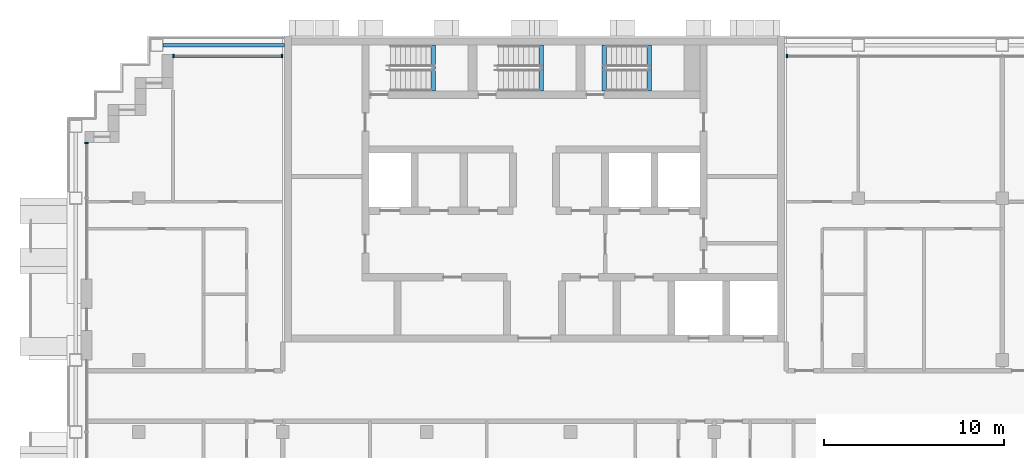
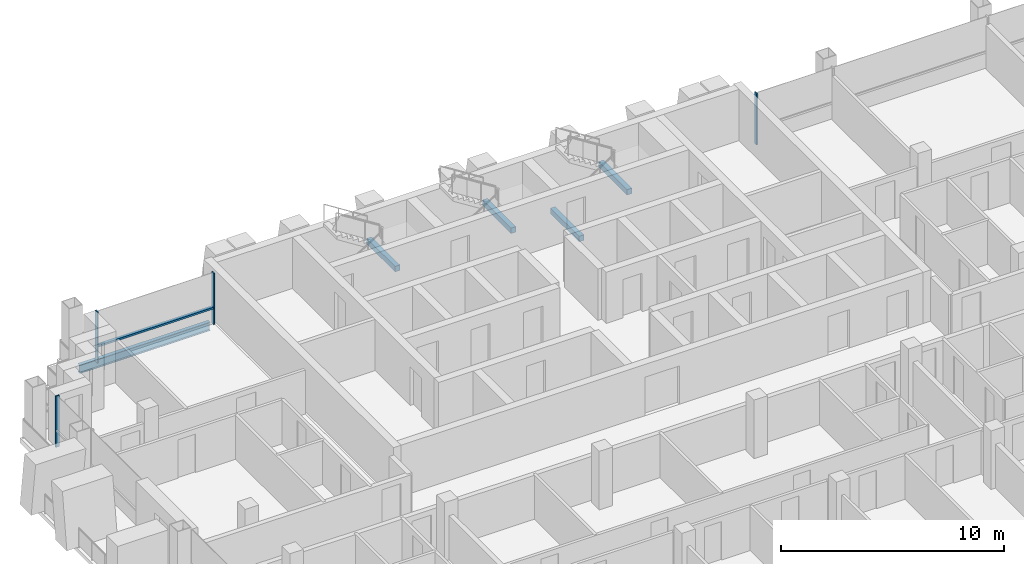
# One storey, part 4 of 16: 5 beams, 5 members, 3 elements without a shape of their own.
"""IFC4 building model written with IfcOpenShell, lengths in metres."""

from ifc_helpers import new_model, si_unit, direction, frame, origin, origin_2d, place, context, subcontext, project, spatial, rectangle, i_section, extrude, material, material_profile, profile_set, type_object, element, aggregate, save


model = new_model("IFC4")

# Units and contexts
model_context = context("Model", 3, precision=1e-05, world=origin(), true_north=direction((0.0, 1.0)))
body_context = subcontext(model_context, "Body", "Model", "MODEL_VIEW")
ifc_project = project(units=[si_unit("LENGTHUNIT", "METRE"), si_unit("AREAUNIT", "SQUARE_METRE"), si_unit("VOLUMEUNIT", "CUBIC_METRE"), si_unit("PLANEANGLEUNIT", "RADIAN"), si_unit("MASSUNIT", "GRAM", prefix="KILO")], contexts=[model_context])

# Site, building, storey
site_placement = place(None, origin())
site = spatial("IfcSite", under=ifc_project, at=site_placement, CompositionType="ELEMENT")
building_placement = place(site_placement, origin())
building = spatial("IfcBuilding", under=site, at=building_placement, Name="Vidyagriha Tower", CompositionType="ELEMENT")
storey_placement = place(building_placement, frame((0.0, 0.0, 190.89990234375)))
storey = spatial("IfcBuildingStorey", under=building, at=storey_placement, Name="L50", CompositionType="ELEMENT", Elevation=190.89990234375)

# Beam
ifc_material_1 = material(Name="Steel ASTM A992 Grade 50", Category="steel")
ifc_material_profile_1 = material_profile(ifc_material_1, i_section(OverallWidth=0.19189453125, OverallDepth=0.46240234375, WebThickness=0.010498046875, FlangeThickness=0.017578125, at=origin_2d()), Name="W18X60")
ifc_profile_set_1 = profile_set([ifc_material_profile_1], Name="Steel ASTM A992 Grade 50")
beam_type_1 = type_object("IfcBeamType", Name="Edge beam W18X60", PredefinedType="SPANDREL", material=ifc_profile_set_1)
beam_placement = place(storey_placement, frame((-20.64990234375, 19.5, -0.510986328125), z_axis=(1.0, 0.0, 0.0), x_axis=(0.0, 1.0, 0.0)))
element("IfcBeam", 1, at=beam_placement, inside=storey, type_object=beam_type_1, Name="st-beam-L50-NC20", PredefinedType="SPANDREL", context=body_context, shape_type="SweptSolid", body=[
    extrude(i_section(OverallWidth=0.19189453125, OverallDepth=0.46240234375, WebThickness=0.010498046875, FlangeThickness=0.017578125, at=origin_2d()), origin(), (0.0, 0.0, 1.0), 6.75),
])

# Curtain wall, member
ifc_material_2 = material(Name="Aluminium and glass curtain wall", Category="aluminium")
curtain_wall_type = type_object("IfcCurtainWallType", Name="Dwelling skin unitised curtain wall", PredefinedType="USERDEFINED", material=ifc_material_2)
curtain_wall_1_placement = place(storey_placement, origin())
curtain_wall_1 = element("IfcCurtainWall", 2, at=curtain_wall_1_placement, inside=storey, type_object=curtain_wall_type, Name="CW1 dwelling skin", ObjectType="UNITISED", PredefinedType="USERDEFINED")
ifc_material_3 = material(Name="Aluminium black anodised", Category="aluminium")
ifc_material_profile_2 = material_profile(ifc_material_3, rectangle(XDim=0.199951171875, YDim=0.070068359375, at=origin_2d()), Name="Mullion 70x200 black aluminium")
ifc_profile_set_2 = profile_set([ifc_material_profile_2], Name="Aluminium black anodised")
member_type_1 = type_object("IfcMemberType", Name="Mullion 70x200 black aluminium", PredefinedType="MULLION", material=ifc_profile_set_2)
member_1_placement = place(storey_placement, frame((14.034912109375, 18.89990234375, 0.0), z_axis=(0.0, 0.0, 1.0), x_axis=(0.0, -1.0, 0.0)))
member_1 = element("IfcMember", 3, at=member_1_placement, type_object=member_type_1, Name="CW1 mullion 4", PredefinedType="MULLION", context=body_context, shape_type="SweptSolid", body=[
    extrude(rectangle(XDim=0.199951171875, YDim=0.070068359375, at=origin_2d()), origin(), (0.0, 0.0, 1.0), 2.800048828125),
])
aggregate(curtain_wall_1, [member_1])

# Curtain wall, members
curtain_wall_2_placement = place(storey_placement, origin())
curtain_wall_2 = element("IfcCurtainWall", 4, at=curtain_wall_2_placement, inside=storey, type_object=curtain_wall_type, Name="CW1 dwelling skin", ObjectType="UNITISED", PredefinedType="USERDEFINED")
member_2_placement = place(storey_placement, frame((-14.034912109375, 18.89990234375, 0.0), z_axis=(0.0, 0.0, 1.0), x_axis=(0.0, -1.0, 0.0)))
member_2 = element("IfcMember", 5, at=member_2_placement, type_object=member_type_1, Name="CW1 mullion 1", PredefinedType="MULLION", context=body_context, shape_type="SweptSolid", body=[
    extrude(rectangle(XDim=0.199951171875, YDim=0.070068359375, at=origin_2d()), origin(), (0.0, 0.0, 1.0), 2.800048828125),
])
member_3_placement = place(storey_placement, frame((-20.06494140625, 18.89990234375, 0.0), z_axis=(0.0, 0.0, 1.0), x_axis=(0.0, -1.0, 0.0)))
member_3 = element("IfcMember", 6, at=member_3_placement, type_object=member_type_1, Name="CW1 mullion 2", PredefinedType="MULLION", context=body_context, shape_type="SweptSolid", body=[
    extrude(rectangle(XDim=0.199951171875, YDim=0.070068359375, at=origin_2d()), origin(), (0.0, 0.0, 1.0), 2.800048828125),
])

# Curtain wall, member
curtain_wall_3_placement = place(storey_placement, origin())
curtain_wall_3 = element("IfcCurtainWall", 7, at=curtain_wall_3_placement, inside=storey, type_object=curtain_wall_type, Name="CW1 dwelling skin", ObjectType="UNITISED", PredefinedType="USERDEFINED")
member_4_placement = place(storey_placement, frame((-24.89990234375, 14.06494140625, 0.0)))
member_4 = element("IfcMember", 8, at=member_4_placement, type_object=member_type_1, Name="CW1 mullion 1", PredefinedType="MULLION", context=body_context, shape_type="SweptSolid", body=[
    extrude(rectangle(XDim=0.199951171875, YDim=0.070068359375, at=origin_2d()), origin(), (0.0, 0.0, 1.0), 2.800048828125),
])
aggregate(curtain_wall_3, [member_4])

# Beams
ifc_material_4 = material(Name="Concrete C40/50", Category="concrete")
ifc_material_profile_3 = material_profile(ifc_material_4, rectangle(XDim=0.25, YDim=0.300048828125, at=origin_2d()), Name="Stair landing bearing beam 250x300")
ifc_profile_set_3 = profile_set([ifc_material_profile_3], Name="Concrete C40/50")
beam_type_2 = type_object("IfcBeamType", Name="Stair landing bearing beam 250x300", PredefinedType="BEAM", material=ifc_profile_set_3)
for number, where, z_axis, x_axis, name in (
    (9, (3.875, 16.949951171875, -0.429931640625), (0.0, 1.0, 0.0), (-1.0, 0.0, 0.0), "ST3 floor landing bearing beam L50"),
    (10, (-5.635009765625, 16.949951171875, 1.25), (0.0, 1.0, 0.0), (-1.0, 0.0, 0.0), "ST1 landing bearing beam L50"),
    (11, (0.364990234375, 16.949951171875, 1.25), (0.0, 1.0, 0.0), (-1.0, 0.0, 0.0), "ST2 landing bearing beam L50"),
    (12, (6.364990234375, 16.949951171875, 1.25), (0.0, 1.0, 0.0), (-1.0, 0.0, 0.0), "ST3 landing bearing beam L50"),
):
    element("IfcBeam", number, at=place(storey_placement, frame(where, z_axis=z_axis, x_axis=x_axis)), inside=storey, type_object=beam_type_2, Name=name, PredefinedType="BEAM", context=body_context, shape_type="SweptSolid", body=[
        extrude(rectangle(XDim=0.25, YDim=0.300048828125, at=origin_2d()), origin(), (0.0, 0.0, 1.0), 2.550048828125),
    ])

# Member
ifc_material_5 = material(Name="Aluminium black anodised", Category="aluminium")
ifc_material_profile_4 = material_profile(ifc_material_5, rectangle(XDim=0.159912109375, YDim=0.10009765625, at=origin_2d()), Name="Transom 100x160 black aluminium")
ifc_profile_set_4 = profile_set([ifc_material_profile_4], Name="Aluminium black anodised")
member_type_2 = type_object("IfcMemberType", Name="Transom 100x160 black aluminium", PredefinedType="USERDEFINED", material=ifc_profile_set_4)
member_5_placement = place(storey_placement, frame((-14.070068359375, 18.89990234375, 0.900146484375), z_axis=(-1.0, 0.0, 0.0), x_axis=(0.0, -1.0, 0.0)))
member_5 = element("IfcMember", 13, at=member_5_placement, type_object=member_type_2, Name="CW1 transom 1.1", ObjectType="TRANSOM", PredefinedType="USERDEFINED", context=body_context, shape_type="SweptSolid", body=[
    extrude(rectangle(XDim=0.159912109375, YDim=0.10009765625, at=origin_2d()), origin(), (0.0, 0.0, 1.0), 5.9599609375),
])

aggregate(curtain_wall_2, [member_2, member_3, member_5])

save(model, "model.ifc")
